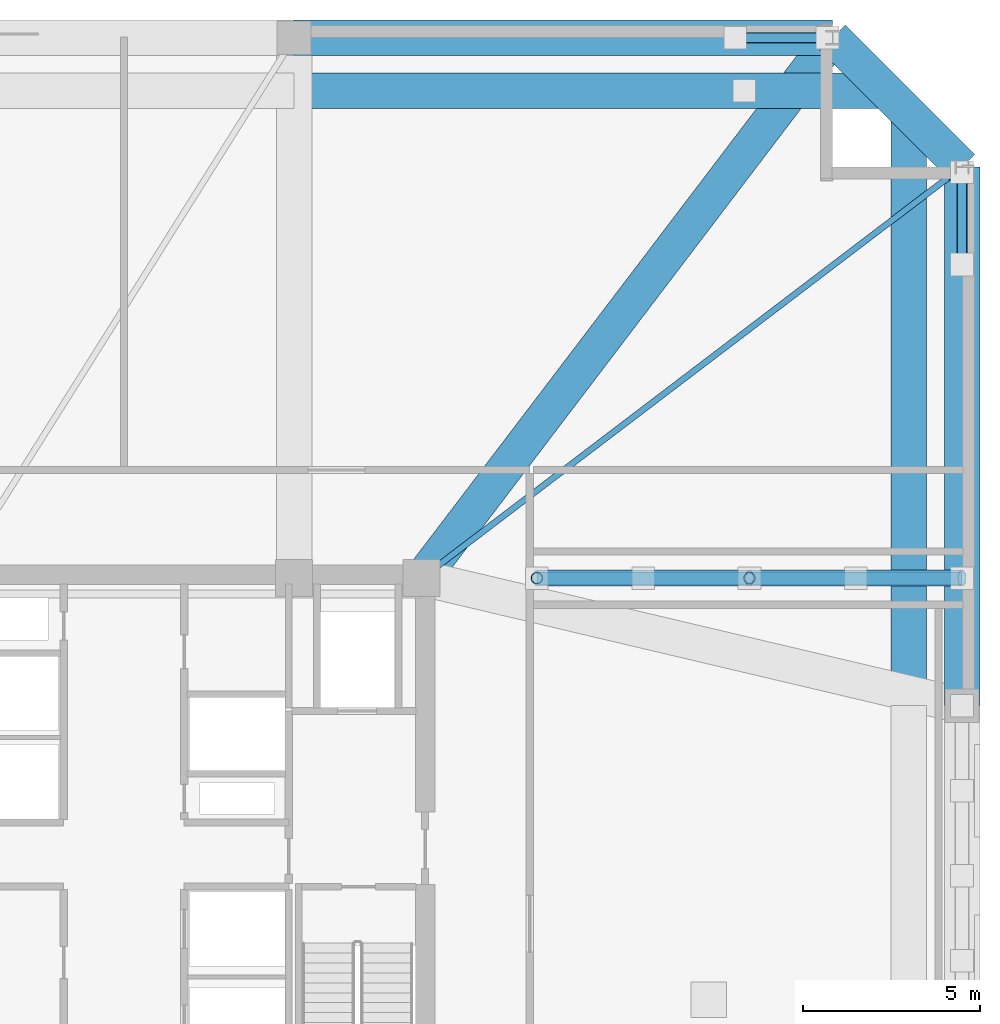
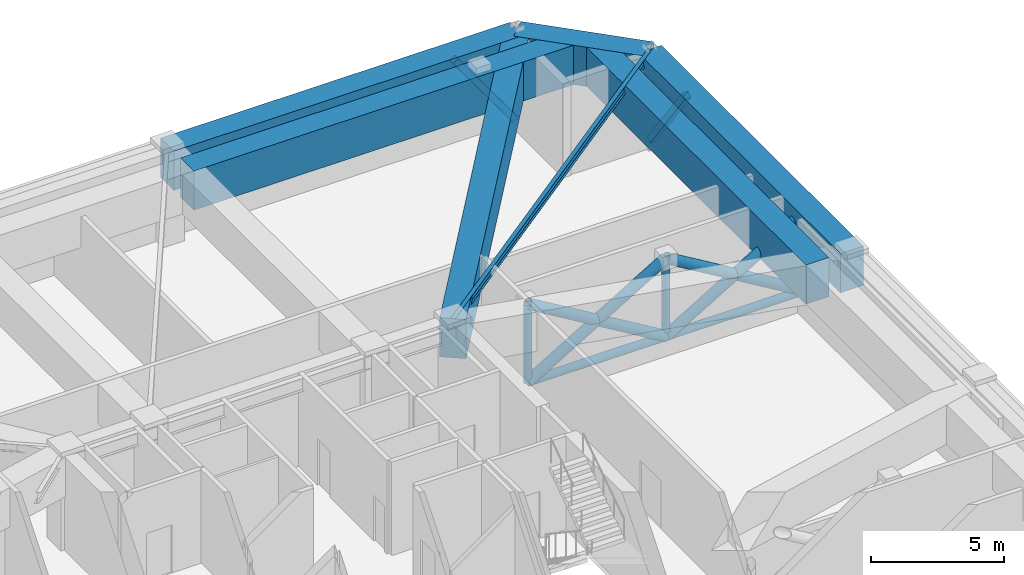
# One storey, part 6 of 13: 11 members, 7 beams.
"""IFC4 building model written with IfcOpenShell, lengths in metres."""

import ifcopenshell
import ifcopenshell.guid

model = None  # the IFC model being written
_history = None  # IfcOwnerHistory: only IFC2X3 demands one
_inside = {}  # id of a spatial element -> (the spatial element, [elements in it])
_under = {}  # id of a project, library or spatial element -> (it, [spatial elements below it])
_declared = {}  # id of a project -> (the project, [libraries it declares])
_typed = {}  # id of a type object -> (the type object, [elements of that type])
_made_of = {}  # id of a material, layer set ... -> (it, [elements and type objects made of it])


def new_model(schema):
    """Start an empty IFC model of exactly this schema.

    Asked for "IFC4X3", IfcOpenShell would pick the latest addendum, in which some entities
    have other attributes; the version numbers below select the first issue.
    IFC2X3 requires an IfcOwnerHistory on every rooted entity: one is made here for all.
    """
    global model, _history
    if schema == "IFC4X3":
        model = ifcopenshell.file(schema_version=(4, 3, 0, 0))
    else:
        model = ifcopenshell.file(schema=schema)
    _inside.clear()
    _under.clear()
    _declared.clear()
    _typed.clear()
    _made_of.clear()
    _history = None
    if model.schema == "IFC2X3":
        org = make("IfcOrganization", Name="unknown")
        user = make(
            "IfcPersonAndOrganization",
            ThePerson=make("IfcPerson", FamilyName="unknown"),
            TheOrganization=org,
        )
        app = make(
            "IfcApplication",
            ApplicationDeveloper=org,
            Version="unknown",
            ApplicationFullName="unknown",
            ApplicationIdentifier="unknown",
        )
        _history = make(
            "IfcOwnerHistory",
            OwningUser=user,
            OwningApplication=app,
            ChangeAction="ADDED",
            CreationDate=0,
        )
    return model


def make(cls, **values):
    """One entity of the class cls with the attributes given. An attribute that is None is left unset."""
    return model.create_entity(
        cls, **{name: value for name, value in values.items() if value is not None}
    )


def rooted(cls, **values):
    """An entity with a GlobalId (a new one), such as an element, a storey or a relation."""
    return make(cls, GlobalId=ifcopenshell.guid.new(), OwnerHistory=_history, **values)


def si_unit(unit_type, name, prefix=None):
    """IfcSIUnit, for example si_unit("LENGTHUNIT", "METRE", prefix="MILLI")."""
    return make("IfcSIUnit", UnitType=unit_type, Prefix=prefix, Name=name)


def assignment(units):
    """IfcUnitAssignment: the units of a project."""
    return None if units is None else make("IfcUnitAssignment", Units=units)


def point(xyz):
    """IfcCartesianPoint."""
    return None if xyz is None else make("IfcCartesianPoint", Coordinates=xyz)


def direction(xyz):
    """IfcDirection."""
    return None if xyz is None else make("IfcDirection", DirectionRatios=xyz)


def frame(location, z_axis=None, x_axis=None):
    """IfcAxis2Placement3D, a coordinate frame: its origin and axes. An axis left out is left unset."""
    return make(
        "IfcAxis2Placement3D",
        Location=point(location),
        Axis=direction(z_axis),
        RefDirection=direction(x_axis),
    )


def frame_2d(location, x_axis=None):
    """IfcAxis2Placement2D, a coordinate frame in the plane: its origin and x axis."""
    return make(
        "IfcAxis2Placement2D", Location=point(location), RefDirection=direction(x_axis)
    )


def origin():
    """The frame at (0, 0, 0) with its axes left unset."""
    return frame((0.0, 0.0, 0.0))


def origin_2d():
    """The frame at (0, 0) in the plane with its x axis left unset."""
    return frame_2d((0.0, 0.0))


def place(relative_to, where):
    """IfcLocalPlacement: puts the frame where relative to a parent placement (None: the world)."""
    return make(
        "IfcLocalPlacement", PlacementRelTo=relative_to, RelativePlacement=where
    )


def context(
    kind, dimensions, precision=None, world=None, true_north=None, identifier=None
):
    """IfcGeometricRepresentationContext, for example the 3D "Model" context."""
    return make(
        "IfcGeometricRepresentationContext",
        ContextIdentifier=identifier,
        ContextType=kind,
        CoordinateSpaceDimension=dimensions,
        Precision=precision,
        WorldCoordinateSystem=world,
        TrueNorth=true_north,
    )


def subcontext(parent, identifier, kind, view, scale=None):
    """IfcGeometricRepresentationSubContext, for example "Body" below "Model"."""
    return make(
        "IfcGeometricRepresentationSubContext",
        ContextIdentifier=identifier,
        ContextType=kind,
        ParentContext=parent,
        TargetScale=scale,
        TargetView=view,
    )


def project(units=None, contexts=None):
    """IfcProject with its units and contexts."""
    return rooted(
        "IfcProject",
        Name="project",
        RepresentationContexts=contexts,
        UnitsInContext=assignment(units),
    )


def spatial(cls, under=None, at=None, **own):
    """A site, building, storey or space (cls), placed at a placement, below another one or the project."""
    s = rooted(cls, ObjectPlacement=at, **own)
    if under is not None:
        _under.setdefault(under.id(), (under, []))[1].append(s)
    return s


def profile(cls, at=None, kind="AREA", **sizes):
    """A parametric profile (cls). Its sizes go by their IFC names, for example OverallWidth=200.0."""
    return make(cls, ProfileType=kind, Position=at, **sizes)


def rectangle(**sizes):
    """IfcRectangleProfileDef."""
    return profile("IfcRectangleProfileDef", **sizes)


def hollow_rectangle(**sizes):
    """IfcRectangleHollowProfileDef."""
    return profile("IfcRectangleHollowProfileDef", **sizes)


def hollow_circle(**sizes):
    """IfcCircleHollowProfileDef."""
    return profile("IfcCircleHollowProfileDef", **sizes)


def i_section(**sizes):
    """IfcIShapeProfileDef."""
    return profile("IfcIShapeProfileDef", **sizes)


def extrude(swept, where, along, depth):
    """IfcExtrudedAreaSolid: the profile swept, set in the frame where, extruded along a direction by depth."""
    return make(
        "IfcExtrudedAreaSolid",
        SweptArea=swept,
        Position=where,
        ExtrudedDirection=direction(along),
        Depth=depth,
    )


def shape(context_of_items, identifier, shape_type, items):
    """IfcShapeRepresentation: the items that make up one representation, for example the "Body"."""
    return make(
        "IfcShapeRepresentation",
        ContextOfItems=context_of_items,
        RepresentationIdentifier=identifier,
        RepresentationType=shape_type,
        Items=items,
    )


def material(Name=None, Category=None):
    """IfcMaterial."""
    return make("IfcMaterial", Name=Name, Category=Category)


def material_profile(
    of_material, cross_section, Name=None, Category=None, Priority=None
):
    """IfcMaterialProfile: a cross section and its material."""
    return make(
        "IfcMaterialProfile",
        Name=Name,
        Material=of_material,
        Profile=cross_section,
        Priority=Priority,
        Category=Category,
    )


def profile_set(profiles, Name=None, composite=None):
    """IfcMaterialProfileSet."""
    return make(
        "IfcMaterialProfileSet",
        Name=Name,
        MaterialProfiles=profiles,
        CompositeProfile=composite,
    )


def made_of(thing, what):
    """Note that an element or type object is made of a material, layer set ...; save() writes the relation."""
    if what is not None:
        _made_of.setdefault(what.id(), (what, []))[1].append(thing)
    return thing


def type_object(cls, material=None, **own):
    """A type object (cls), such as IfcWallType, which elements share."""
    return made_of(rooted(cls, **own), material)


def element(
    cls,
    number,
    at=None,
    inside=None,
    cuts=None,
    type_object=None,
    material=None,
    context=None,
    identifier="Body",
    shape_type=None,
    held_by="IfcProductDefinitionShape",
    body=None,
    shapes=None,
    **own,
):
    """One element of the class cls, such as IfcWall. Its Tag is "e" and its number.

    at: its placement. inside: the storey or other place that contains it. cuts: it is an
    opening in that element (IfcRelVoidsElement). A single representation is given by context,
    identifier, shape_type and body (its items); several are given by shapes. held_by: the class
    of the entity that holds the representations. save() writes the other relations.
    """
    e = rooted(cls, Tag="e%d" % number, ObjectPlacement=at, **own)
    if body is not None:
        shapes = [shape(context, identifier, shape_type, body)]
    if shapes is not None:
        e.Representation = make(held_by, Representations=shapes)
    if inside is not None:
        _inside.setdefault(inside.id(), (inside, []))[1].append(e)
    if cuts is not None:
        rooted(
            "IfcRelVoidsElement", RelatingBuildingElement=cuts, RelatedOpeningElement=e
        )
    if type_object is not None:
        _typed.setdefault(type_object.id(), (type_object, []))[1].append(e)
    return made_of(e, material)


def aggregate(whole, parts):
    """IfcRelAggregates: a whole, such as a stair, and the parts it consists of."""
    return rooted("IfcRelAggregates", RelatingObject=whole, RelatedObjects=parts)


def save(model, path):
    """Write the relations noted so far, then the file.

    IfcRelAggregates (storeys below a building ...), IfcRelContainedInSpatialStructure (elements
    in a storey), IfcRelDefinesByType, IfcRelAssociatesMaterial and IfcRelDeclares: one each for
    every whole, place, type object, material and project.
    """
    for whole, parts in _under.values():
        aggregate(whole, parts)
    for where, things in _inside.values():
        rooted(
            "IfcRelContainedInSpatialStructure",
            RelatedElements=things,
            RelatingStructure=where,
        )
    for kind, things in _typed.values():
        rooted("IfcRelDefinesByType", RelatedObjects=things, RelatingType=kind)
    for what, things in _made_of.values():
        rooted("IfcRelAssociatesMaterial", RelatedObjects=things, RelatingMaterial=what)
    for by, libraries in _declared.values():
        rooted("IfcRelDeclares", RelatingContext=by, RelatedDefinitions=libraries)
    model.write(path)


model = new_model("IFC4")

# Units and contexts
model_context = context("Model", 3, precision=1e-05, world=origin(), true_north=direction((0.0, 1.0)))
body_context = subcontext(model_context, "Body", "Model", "MODEL_VIEW")
ifc_project = project(units=[si_unit("LENGTHUNIT", "METRE"), si_unit("AREAUNIT", "SQUARE_METRE"), si_unit("VOLUMEUNIT", "CUBIC_METRE"), si_unit("PLANEANGLEUNIT", "RADIAN"), si_unit("MASSUNIT", "GRAM", prefix="KILO")], contexts=[model_context])

# Site, building, storey
site_placement = place(None, origin())
site = spatial("IfcSite", under=ifc_project, at=site_placement, CompositionType="ELEMENT")
building_placement = place(site_placement, origin())
building = spatial("IfcBuilding", under=site, at=building_placement, Name="Cairnveth Concourse Tower", CompositionType="ELEMENT")
storey_placement = place(building_placement, frame((0.0, 0.0, 193.5)))
storey = spatial("IfcBuildingStorey", under=building, at=storey_placement, Name="L53", CompositionType="ELEMENT", Elevation=193.5)

# Member
ifc_material_1 = material(Name="Steel C350L0 (350 MPa)", Category="steel")
ifc_material_profile_1 = material_profile(ifc_material_1, hollow_circle(Radius=0.177734375, WallThickness=0.01611328125, at=origin_2d()), Name="355.6x16.0CHS")
ifc_profile_set_1 = profile_set([ifc_material_profile_1], Name="Steel C350L0 (350 MPa)")
member_type_1 = type_object("IfcMemberType", Name="BELT TRUSS CHORD 355.6X16CHS", PredefinedType="CHORD", material=ifc_profile_set_1)
member_1_placement = place(storey_placement, frame((63.64990234375, 47.39990234375, 0.25), z_axis=(1.0, 0.0, 0.0), x_axis=(0.0, 1.0, 0.0)))
element("IfcMember", 1, at=member_1_placement, inside=storey, type_object=member_type_1, Name="Structural Brace OUT-OE2A-CH L53", PredefinedType="CHORD", context=body_context, shape_type="SweptSolid", body=[
    extrude(hollow_circle(Radius=0.177734375, WallThickness=0.01611328125, at=origin_2d()), origin(), (0.0, 0.0, 1.0), 12.0),
])

# Beams
ifc_material_2 = material(Name="Concrete N65 (65 MPa)", Category="concrete")
ifc_material_profile_2 = material_profile(ifc_material_2, rectangle(XDim=1.0, YDim=1.800048828125, at=origin_2d()), Name="RC-TB-1000x1800")
ifc_profile_set_2 = profile_set([ifc_material_profile_2], Name="Concrete N65 (65 MPa)")
beam_type_1 = type_object("IfcBeamType", Name="CONCRETE TRANSFER GIRDER 1000X1800", PredefinedType="BEAM", material=ifc_profile_set_2)
for number, where, z_axis, x_axis, name in (
    (2, (56.800048828125, 62.64990234375, 3.389892578125), (1.0, 0.0, 0.0), (0.0, 1.0, 0.0), "Beam SP-N3 L53"),
    (3, (75.64990234375, 43.800048828125, 3.389892578125), (0.0, 1.0, 0.0), (-1.0, 0.0, 0.0), "Beam SP-E3 L53"),
):
    element("IfcBeam", number, at=place(storey_placement, frame(where, z_axis=z_axis, x_axis=x_axis)), inside=storey, type_object=beam_type_1, Name=name, PredefinedType="BEAM", context=body_context, shape_type="SweptSolid", body=[
        extrude(rectangle(XDim=1.0, YDim=1.800048828125, at=origin_2d()), origin(), (0.0, 0.0, 1.0), 15.199951171875),
    ])
beam_1_placement = place(storey_placement, frame((72.0, 62.64990234375, 3.389892578125), z_axis=(0.707106781187, -0.707106781187, 0.0), x_axis=(0.707106781187, 0.707106781187, 0.0)))
element("IfcBeam", 4, at=beam_1_placement, inside=storey, type_object=beam_type_1, Name="Beam SP-NE L53", PredefinedType="BEAM", context=body_context, shape_type="SweptSolid", body=[
    extrude(rectangle(XDim=1.0, YDim=1.800048828125, at=origin_2d()), origin(), (0.0, 0.0, 1.0), 5.16162109375),
])
beam_2_placement = place(storey_placement, frame((72.0, 62.64990234375, 3.389892578125), z_axis=(-0.6054172684, -0.795908242904, 0.0), x_axis=(0.795908242904, -0.6054172684, 0.0)))
element("IfcBeam", 5, at=beam_2_placement, inside=storey, type_object=beam_type_1, Name="Beam RG-CNE L53", PredefinedType="BEAM", context=body_context, shape_type="SweptSolid", body=[
    extrude(rectangle(XDim=1.0, YDim=1.800048828125, at=origin_2d()), origin(), (0.0, 0.0, 1.0), 19.160400390625),
])
for number, where, z_axis, x_axis, name in (
    (6, (56.800048828125, 61.14990234375, 3.389892578125), (1.0, 0.0, 0.0), (0.0, 1.0, 0.0), "Beam STG-N3 L53"),
    (7, (74.14990234375, 43.800048828125, 3.389892578125), (0.0, 1.0, 0.0), (-1.0, 0.0, 0.0), "Beam STG-E3 L53"),
):
    element("IfcBeam", number, at=place(storey_placement, frame(where, z_axis=z_axis, x_axis=x_axis)), inside=storey, type_object=beam_type_1, Name=name, PredefinedType="BEAM", context=body_context, shape_type="SweptSolid", body=[
        extrude(rectangle(XDim=1.0, YDim=1.800048828125, at=origin_2d()), origin(), (0.0, 0.0, 1.0), 16.699951171875),
    ])

# Members
ifc_material_profile_3 = material_profile(ifc_material_1, hollow_circle(Radius=0.228515625, WallThickness=0.01611328125, at=origin_2d()), Name="457.0x16.0CHS")
ifc_profile_set_3 = profile_set([ifc_material_profile_3], Name="Steel C350L0 (350 MPa)")
member_type_2 = type_object("IfcMemberType", Name="OUTRIGGER DIAGONAL 457X16CHS", PredefinedType="BRACE", material=ifc_profile_set_3)
member_2_placement = place(storey_placement, frame((63.64990234375, 47.39990234375, 0.25), z_axis=(0.858117715439, 0.0, 0.513453003155), x_axis=(0.0, 1.0, 0.0)))
element("IfcMember", 8, at=member_2_placement, inside=storey, type_object=member_type_2, Name="Structural Brace OUT-OE2A-P1A L53", PredefinedType="BRACE", context=body_context, shape_type="SweptSolid", body=[
    extrude(hollow_circle(Radius=0.228515625, WallThickness=0.01611328125, at=origin_2d()), origin(), (0.0, 0.0, 1.0), 6.991943359375),
])
member_3_placement = place(storey_placement, frame((63.64990234375, 47.39990234375, 3.840087890625), z_axis=(0.85812963974, 0.0, -0.513433073924), x_axis=(0.0, 1.0, 0.0)))
element("IfcMember", 9, at=member_3_placement, inside=storey, type_object=member_type_2, Name="Structural Brace OUT-OE2A-P1B1 L53", PredefinedType="BRACE", context=body_context, shape_type="SweptSolid", body=[
    extrude(hollow_circle(Radius=0.228515625, WallThickness=0.01611328125, at=origin_2d()), origin(), (0.0, 0.0, 1.0), 3.481201171875),
])
member_4_placement = place(storey_placement, frame((66.662841796875, 47.39990234375, 2.037353515625), z_axis=(0.858111150446, 0.0, -0.51346397486), x_axis=(0.0, 1.0, 0.0)))
element("IfcMember", 10, at=member_4_placement, inside=storey, type_object=member_type_2, Name="Structural Brace OUT-OE2A-P1B2 L53", PredefinedType="BRACE", context=body_context, shape_type="SweptSolid", body=[
    extrude(hollow_circle(Radius=0.228515625, WallThickness=0.01611328125, at=origin_2d()), origin(), (0.0, 0.0, 1.0), 3.48095703125),
])
member_5_placement = place(storey_placement, frame((69.64990234375, 47.39990234375, 0.25), z_axis=(0.858117715439, 0.0, 0.513453003155), x_axis=(0.0, 1.0, 0.0)))
element("IfcMember", 11, at=member_5_placement, inside=storey, type_object=member_type_2, Name="Structural Brace OUT-OE2A-P2A L53", PredefinedType="BRACE", context=body_context, shape_type="SweptSolid", body=[
    extrude(hollow_circle(Radius=0.228515625, WallThickness=0.01611328125, at=origin_2d()), origin(), (0.0, 0.0, 1.0), 6.991943359375),
])
member_6_placement = place(storey_placement, frame((69.64990234375, 47.39990234375, 3.840087890625), z_axis=(0.85812963974, 0.0, -0.513433073924), x_axis=(0.0, 1.0, 0.0)))
element("IfcMember", 12, at=member_6_placement, inside=storey, type_object=member_type_2, Name="Structural Brace OUT-OE2A-P2B1 L53", PredefinedType="BRACE", context=body_context, shape_type="SweptSolid", body=[
    extrude(hollow_circle(Radius=0.228515625, WallThickness=0.01611328125, at=origin_2d()), origin(), (0.0, 0.0, 1.0), 3.481201171875),
])
member_7_placement = place(storey_placement, frame((72.662841796875, 47.39990234375, 2.037353515625), z_axis=(0.858111150446, 0.0, -0.51346397486), x_axis=(0.0, 1.0, 0.0)))
element("IfcMember", 13, at=member_7_placement, inside=storey, type_object=member_type_2, Name="Structural Brace OUT-OE2A-P2B2 L53", PredefinedType="BRACE", context=body_context, shape_type="SweptSolid", body=[
    extrude(hollow_circle(Radius=0.228515625, WallThickness=0.01611328125, at=origin_2d()), origin(), (0.0, 0.0, 1.0), 3.48095703125),
])
ifc_material_profile_4 = material_profile(ifc_material_1, hollow_circle(Radius=0.161865234375, WallThickness=0.0126953125, at=origin_2d()), Name="323.9x12.7CHS")
ifc_profile_set_4 = profile_set([ifc_material_profile_4], Name="Steel C350L0 (350 MPa)")
member_type_3 = type_object("IfcMemberType", Name="OUTRIGGER KING STRUT 323.9X12.7CHS", PredefinedType="STRUT", material=ifc_profile_set_4)
for number, where, z_axis, x_axis, name in (
    (14, (69.64990234375, 47.39990234375, 0.25), (0.0, 0.0, 1.0), (1.0, 0.0, 0.0), "Structural Brace OUT-OE2A-SR L53"),
    (15, (63.64990234375, 47.39990234375, 0.25), (0.0, 0.0, 1.0), (1.0, 0.0, 0.0), "Structural Brace OUT-OE2A-SRE L53"),
):
    element("IfcMember", number, at=place(storey_placement, frame(where, z_axis=z_axis, x_axis=x_axis)), inside=storey, type_object=member_type_3, Name=name, PredefinedType="STRUT", context=body_context, shape_type="SweptSolid", body=[
        extrude(hollow_circle(Radius=0.161865234375, WallThickness=0.0126953125, at=origin_2d()), origin(), (0.0, 0.0, 1.0), 3.590087890625),
    ])

# Beam
ifc_material_3 = material(Name="Steel Grade 350", Category="steel")
ifc_material_profile_5 = material_profile(ifc_material_3, i_section(OverallWidth=0.172119140625, OverallDepth=0.35888671875, WebThickness=0.008056640625, FlangeThickness=0.012939453125, FilletRadius=0.010986328125, at=origin_2d()), Name="360UB56.7")
ifc_profile_set_5 = profile_set([ifc_material_profile_5], Name="Steel Grade 350")
beam_type_2 = type_object("IfcBeamType", Name="ZONE 2 FLOOR JOIST 360UB56.7", PredefinedType="JOIST", material=ifc_profile_set_5)
beam_3_placement = place(storey_placement, frame((75.64990234375, 59.0, 4.110595703125), z_axis=(-0.795908242904, -0.6054172684, 0.0), x_axis=(0.6054172684, -0.795908242904, 0.0)))
element("IfcBeam", 16, at=beam_3_placement, inside=storey, type_object=beam_type_2, Name="Beam FJ-CNE2 L53", PredefinedType="JOIST", context=body_context, shape_type="SweptSolid", body=[
    extrude(i_section(OverallWidth=0.172119140625, OverallDepth=0.35888671875, WebThickness=0.008056640625, FlangeThickness=0.012939453125, FilletRadius=0.010986328125, at=origin_2d()), origin(), (0.0, 0.0, 1.0), 19.160400390625),
])

# Members
ifc_material_profile_6 = material_profile(ifc_material_1, hollow_rectangle(XDim=0.300048828125, YDim=0.300048828125, WallThickness=0.01611328125, InnerFilletRadius=0.01611328125, OuterFilletRadius=0.031982421875, at=origin_2d()), Name="300x300x16.0SHS")
ifc_profile_set_6 = profile_set([ifc_material_profile_6], Name="Steel C350L0 (350 MPa)")
member_type_4 = type_object("IfcMemberType", Name="ZONE 2 PIER BRACE 300X300X16SHS", PredefinedType="BRACE", material=ifc_profile_set_6)
for number, where, z_axis, x_axis, name in (
    (17, (71.85009765625, 62.64990234375, 0.25), (-0.586565875469, 0.0, 0.809901521011), (0.0, -1.0, 0.0), "Structural Brace PB-N2 L53"),
    (18, (75.64990234375, 58.85009765625, 0.25), (0.0, -0.586565875469, 0.809901521011), (1.0, 0.0, 0.0), "Structural Brace PB-E2 L53"),
):
    element("IfcMember", number, at=place(storey_placement, frame(where, z_axis=z_axis, x_axis=x_axis)), inside=storey, type_object=member_type_4, Name=name, PredefinedType="BRACE", context=body_context, shape_type="SweptSolid", body=[
        extrude(hollow_rectangle(XDim=0.300048828125, YDim=0.300048828125, WallThickness=0.01611328125, InnerFilletRadius=0.01611328125, OuterFilletRadius=0.031982421875, at=origin_2d()), origin(), (0.0, 0.0, 1.0), 4.432861328125),
    ])

save(model, "model.ifc")
